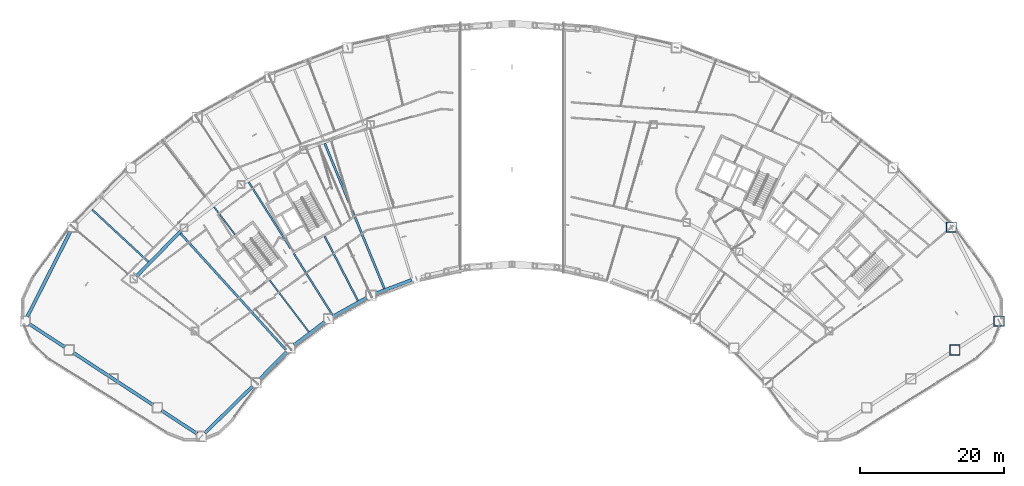
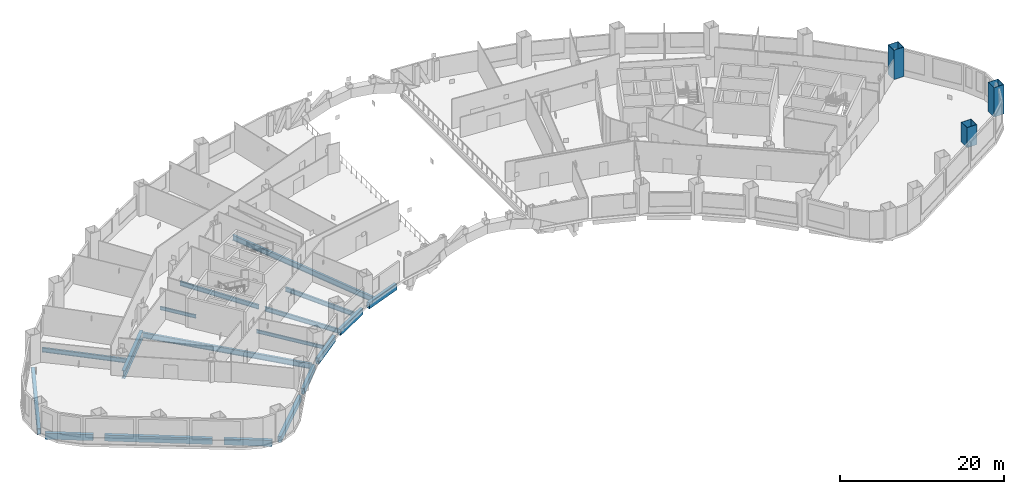
# One storey, part 2 of 24: 18 beams, 3 columns.
"""IFC4 building model written with IfcOpenShell, lengths in metres."""

from ifc_helpers import new_model, si_unit, direction, frame, origin, origin_2d, place, context, subcontext, project, spatial, hollow_rectangle, i_section, extrude, material, material_profile, profile_set, type_object, element, save


model = new_model("IFC4")

# Units and contexts
model_context = context("Model", 3, precision=1e-05, world=origin(), true_north=direction((0.0, 1.0)))
body_context = subcontext(model_context, "Body", "Model", "MODEL_VIEW")
ifc_project = project(units=[si_unit("LENGTHUNIT", "METRE"), si_unit("AREAUNIT", "SQUARE_METRE"), si_unit("VOLUMEUNIT", "CUBIC_METRE"), si_unit("PLANEANGLEUNIT", "RADIAN"), si_unit("MASSUNIT", "GRAM", prefix="KILO")], contexts=[model_context])

# Site, building, storey
site_placement = place(None, origin())
site = spatial("IfcSite", under=ifc_project, at=site_placement, CompositionType="ELEMENT")
building_placement = place(site_placement, origin())
building = spatial("IfcBuilding", under=site, at=building_placement, Name="Tuul Gate Civic Tower", CompositionType="ELEMENT")
storey_placement = place(building_placement, frame((0.0, 0.0, 21.89990234375)))
storey = spatial("IfcBuildingStorey", under=building, at=storey_placement, Name="Level 04", CompositionType="ELEMENT", Elevation=21.89990234375)

# Columns
ifc_material_1 = material(Name="Steel S355", Category="steel")
ifc_material_profile_1 = material_profile(ifc_material_1, hollow_rectangle(XDim=1.39990234375, YDim=1.39990234375, WallThickness=0.0400390625, at=origin_2d()), Name="BOX1400x1400x40")
ifc_profile_set_1 = profile_set([ifc_material_profile_1], Name="Steel S355")
column_type = type_object("IfcColumnType", Name="STR-COLUMN-BOX1400x1400x40", PredefinedType="COLUMN", material=ifc_profile_set_1)
for number, where, z_axis, x_axis, name in (
    (1, (67.56201171875, -21.366943359375, 0.0), (0.0, 0.0, 1.0), (1.0, 0.0, 0.0), "Column"),
    (2, (60.9609375, -8.327880859375, 0.0), (0.0, 0.0, 1.0), (1.0, 0.0, 0.0), "Column"),
):
    element("IfcColumn", number, at=place(storey_placement, frame(where, z_axis=z_axis, x_axis=x_axis)), inside=storey, type_object=column_type, Name=name, PredefinedType="COLUMN", context=body_context, shape_type="SweptSolid", body=[
        extrude(hollow_rectangle(XDim=1.39990234375, YDim=1.39990234375, WallThickness=0.0400390625, at=origin_2d()), origin(), (0.0, 0.0, 1.0), 4.400146484375),
    ])
column_placement = place(storey_placement, frame((61.447021484375, -25.368896484375, 0.0), z_axis=(0.0, 0.0, 1.0), x_axis=(1.0, 0.0, 0.0)))
element("IfcColumn", 3, at=column_placement, inside=storey, type_object=column_type, Name="Column", PredefinedType="COLUMN", context=body_context, shape_type="SweptSolid", body=[
    extrude(hollow_rectangle(XDim=1.39990234375, YDim=1.39990234375, WallThickness=0.0400390625, at=origin_2d()), origin(), (0.0, 0.0, 1.0), 3.0),
])

# Beams
ifc_material_2 = material(Name="Steel S355", Category="steel")
ifc_material_profile_2 = material_profile(ifc_material_2, i_section(OverallWidth=0.199951171875, OverallDepth=0.5, WebThickness=0.010009765625, FlangeThickness=0.01611328125, at=origin_2d()), Name="PG500x200x10x16")
ifc_profile_set_2 = profile_set([ifc_material_profile_2], Name="Steel S355")
beam_type_1 = type_object("IfcBeamType", Name="STR-FLOOR BEAM-PG500x200x10x16", PredefinedType="BEAM", material=ifc_profile_set_2)
beam_1_placement = place(storey_placement, frame((-28.20361328125, -22.83447265625, -0.599853515625), z_axis=(-0.604507057629, 0.796599784884, 0.0), x_axis=(-0.796599784884, -0.604507057629, 0.0)))
element("IfcBeam", 4, at=beam_1_placement, inside=storey, type_object=beam_type_1, Name="Floor beam", PredefinedType="BEAM", context=body_context, shape_type="SweptSolid", body=[
    extrude(i_section(OverallWidth=0.199951171875, OverallDepth=0.5, WebThickness=0.010009765625, FlangeThickness=0.01611328125, at=origin_2d()), origin(), (0.0, 0.0, 1.0), 8.951416015625),
])
beam_2_placement = place(storey_placement, frame((-38.45068359375, -9.3310546875, -0.599853515625), z_axis=(-0.604539816506, 0.796574924448, 0.0), x_axis=(-0.796574924448, -0.604539816506, 0.0)))
element("IfcBeam", 5, at=beam_2_placement, inside=storey, type_object=beam_type_1, Name="Floor beam", PredefinedType="BEAM", context=body_context, shape_type="SweptSolid", body=[
    extrude(i_section(OverallWidth=0.199951171875, OverallDepth=0.5, WebThickness=0.010009765625, FlangeThickness=0.01611328125, at=origin_2d()), origin(), (0.0, 0.0, 1.0), 4.77392578125),
])
ifc_material_3 = material(Name="Steel S355", Category="steel")
ifc_material_profile_3 = material_profile(ifc_material_3, i_section(OverallWidth=0.25, OverallDepth=0.64990234375, WebThickness=0.011962890625, FlangeThickness=0.02001953125, at=origin_2d()), Name="PG650x250x12x20")
ifc_profile_set_3 = profile_set([ifc_material_profile_3], Name="Steel S355")
beam_type_2 = type_object("IfcBeamType", Name="STR-FLOOR BEAM-PG650x250x12x20", PredefinedType="BEAM", material=ifc_profile_set_3)
beam_3_placement = place(storey_placement, frame((-21.390380859375, -18.512939453125, -0.6748046875), z_axis=(-0.458274716769, 0.88881060073, 0.0), x_axis=(-0.88881060073, -0.458274716769, 0.0)))
element("IfcBeam", 6, at=beam_3_placement, inside=storey, type_object=beam_type_2, Name="Floor beam", PredefinedType="BEAM", context=body_context, shape_type="SweptSolid", body=[
    extrude(i_section(OverallWidth=0.25, OverallDepth=0.64990234375, WebThickness=0.011962890625, FlangeThickness=0.02001953125, at=origin_2d()), origin(), (0.0, 0.0, 1.0), 10.03369140625),
])
beam_4_placement = place(storey_placement, frame((-24.9248046875, -20.47265625, -0.6748046875), z_axis=(-0.53338296173, 0.845873877204, 0.0), x_axis=(-0.845873877204, -0.53338296173, 0.0)))
element("IfcBeam", 7, at=beam_4_placement, inside=storey, type_object=beam_type_2, Name="Floor beam", PredefinedType="BEAM", context=body_context, shape_type="SweptSolid", body=[
    extrude(i_section(OverallWidth=0.25, OverallDepth=0.64990234375, WebThickness=0.011962890625, FlangeThickness=0.02001953125, at=origin_2d()), origin(), (0.0, 0.0, 1.0), 10.045654296875),
])
beam_5_placement = place(storey_placement, frame((-30.72509765625, -11.2744140625, -0.6748046875), z_axis=(-0.533383609524, 0.845873468724, 0.0), x_axis=(-0.845873468724, -0.533383609524, 0.0)))
element("IfcBeam", 8, at=beam_5_placement, inside=storey, type_object=beam_type_2, Name="Floor beam", PredefinedType="BEAM", context=body_context, shape_type="SweptSolid", body=[
    extrude(i_section(OverallWidth=0.25, OverallDepth=0.64990234375, WebThickness=0.011962890625, FlangeThickness=0.02001953125, at=origin_2d()), origin(), (0.0, 0.0, 1.0), 10.885498046875),
])
beam_6_placement = place(storey_placement, frame((-50.448974609375, -13.139404296875, -0.6748046875), z_axis=(-0.732685493637, 0.680567386387, 0.0), x_axis=(-0.680567386387, -0.732685493637, 0.0)))
element("IfcBeam", 9, at=beam_6_placement, inside=storey, type_object=beam_type_2, Name="Floor beam", PredefinedType="BEAM", context=body_context, shape_type="SweptSolid", body=[
    extrude(i_section(OverallWidth=0.25, OverallDepth=0.64990234375, WebThickness=0.011962890625, FlangeThickness=0.02001953125, at=origin_2d()), origin(), (0.0, 0.0, 1.0), 10.62890625),
])
ifc_material_4 = material(Name="Steel S355", Category="steel")
ifc_material_profile_4 = material_profile(ifc_material_4, i_section(OverallWidth=0.300048828125, OverallDepth=0.800048828125, WebThickness=0.013916015625, FlangeThickness=0.02490234375, at=origin_2d()), Name="PG800x300x14x25")
ifc_profile_set_4 = profile_set([ifc_material_profile_4], Name="Steel S355")
beam_type_3 = type_object("IfcBeamType", Name="STR-FLOOR BEAM-PG800x300x14x25", PredefinedType="BEAM", material=ifc_profile_set_4)
beam_7_placement = place(storey_placement, frame((-17.722900390625, -16.822021484375, -0.75), z_axis=(-0.379711671586, 0.925104884033, 0.0), x_axis=(-0.925104884033, -0.379711671586, 0.0)))
element("IfcBeam", 10, at=beam_7_placement, inside=storey, type_object=beam_type_3, Name="Floor beam", PredefinedType="BEAM", context=body_context, shape_type="SweptSolid", body=[
    extrude(i_section(OverallWidth=0.300048828125, OverallDepth=0.800048828125, WebThickness=0.013916015625, FlangeThickness=0.02490234375, at=origin_2d()), origin(), (0.0, 0.0, 1.0), 21.7333984375),
])
beam_8_placement = place(storey_placement, frame((-31.366455078125, -25.35009765625, -0.75), z_axis=(-0.671111274621, 0.741356632854, 0.0), x_axis=(-0.741356632854, -0.671111274621, 0.0)))
element("IfcBeam", 11, at=beam_8_placement, inside=storey, type_object=beam_type_3, Name="Floor beam", PredefinedType="BEAM", context=body_context, shape_type="SweptSolid", body=[
    extrude(i_section(OverallWidth=0.300048828125, OverallDepth=0.800048828125, WebThickness=0.013916015625, FlangeThickness=0.02490234375, at=origin_2d()), origin(), (0.0, 0.0, 1.0), 21.763916015625),
])
ifc_material_5 = material(Name="Steel S355", Category="steel")
ifc_material_profile_5 = material_profile(ifc_material_5, i_section(OverallWidth=0.449951171875, OverallDepth=1.199951171875, WebThickness=0.02001953125, FlangeThickness=0.0400390625, at=origin_2d()), Name="PG1200x450x20x40")
ifc_profile_set_5 = profile_set([ifc_material_profile_5], Name="Steel S355")
beam_type_4 = type_object("IfcBeamType", Name="STR-RING BEAM-PG1200x450x20x40", PredefinedType="BEAM", material=ifc_profile_set_5)
beam_9_placement = place(storey_placement, frame((-52.121337890625, -15.1669921875, -0.949951171875), z_axis=(0.700011333418, 0.714131733706, 0.0), x_axis=(-0.714131733706, 0.700011333418, 0.0)))
element("IfcBeam", 12, at=beam_9_placement, inside=storey, type_object=beam_type_4, Name="Ring girder", PredefinedType="BEAM", context=body_context, shape_type="SweptSolid", body=[
    extrude(i_section(OverallWidth=0.449951171875, OverallDepth=1.199951171875, WebThickness=0.02001953125, FlangeThickness=0.0400390625, at=origin_2d()), origin(), (0.0, 0.0, 1.0), 8.93896484375),
])
ifc_material_6 = material(Name="Steel S355", Category="steel")
ifc_material_profile_6 = material_profile(ifc_material_6, hollow_rectangle(XDim=0.449951171875, YDim=0.89990234375, WallThickness=0.02490234375, at=origin_2d()), Name="BOX900x450x25")
ifc_profile_set_6 = profile_set([ifc_material_profile_6], Name="Steel S355")
beam_type_5 = type_object("IfcBeamType", Name="STR-SPANDREL BEAM-BOX900x450x25", PredefinedType="BEAM", material=ifc_profile_set_6)
beam_10_placement = place(storey_placement, frame((-61.277099609375, -8.95263671875, -0.7998046875), z_axis=(-0.451678979782, -0.892180530623, 0.0), x_axis=(0.892180530623, -0.451678979782, 0.0)))
element("IfcBeam", 13, at=beam_10_placement, inside=storey, type_object=beam_type_5, Name="Spandrel beam", PredefinedType="BEAM", context=body_context, shape_type="SweptSolid", body=[
    extrude(hollow_rectangle(XDim=0.449951171875, YDim=0.89990234375, WallThickness=0.02490234375, at=origin_2d()), origin(), (0.0, 0.0, 1.0), 13.214599609375),
])
beam_11_placement = place(storey_placement, frame((-66.976318359375, -21.750244140625, -0.7998046875), z_axis=(0.836737319566, -0.547604472265, 0.0), x_axis=(0.547604472265, 0.836737319566, 0.0)))
element("IfcBeam", 14, at=beam_11_placement, inside=storey, type_object=beam_type_5, Name="Spandrel beam", PredefinedType="BEAM", context=body_context, shape_type="SweptSolid", body=[
    extrude(hollow_rectangle(XDim=0.449951171875, YDim=0.89990234375, WallThickness=0.02490234375, at=origin_2d()), origin(), (0.0, 0.0, 1.0), 5.908203125),
])
beam_12_placement = place(storey_placement, frame((-60.861328125, -25.752197265625, -0.7998046875), z_axis=(0.836741071493, -0.547598739294, 0.0), x_axis=(0.547598739294, 0.836741071493, 0.0)))
element("IfcBeam", 15, at=beam_12_placement, inside=storey, type_object=beam_type_5, Name="Spandrel beam", PredefinedType="BEAM", context=body_context, shape_type="SweptSolid", body=[
    extrude(hollow_rectangle(XDim=0.449951171875, YDim=0.89990234375, WallThickness=0.02490234375, at=origin_2d()), origin(), (0.0, 0.0, 1.0), 13.215087890625),
])
beam_13_placement = place(storey_placement, frame((-48.63232421875, -33.75537109375, -0.7998046875), z_axis=(0.836737319566, -0.547604472265, 0.0), x_axis=(0.547604472265, 0.836737319566, 0.0)))
element("IfcBeam", 16, at=beam_13_placement, inside=storey, type_object=beam_type_5, Name="Spandrel beam", PredefinedType="BEAM", context=body_context, shape_type="SweptSolid", body=[
    extrude(hollow_rectangle(XDim=0.449951171875, YDim=0.89990234375, WallThickness=0.02490234375, at=origin_2d()), origin(), (0.0, 0.0, 1.0), 5.908203125),
])
beam_14_placement = place(storey_placement, frame((-42.60302734375, -36.884033203125, -0.7998046875), z_axis=(0.714257932821, 0.699882565437, 0.0), x_axis=(-0.699882565437, 0.714257932821, 0.0)))
element("IfcBeam", 17, at=beam_14_placement, inside=storey, type_object=beam_type_5, Name="Spandrel beam", PredefinedType="BEAM", context=body_context, shape_type="SweptSolid", body=[
    extrude(hollow_rectangle(XDim=0.449951171875, YDim=0.89990234375, WallThickness=0.02490234375, at=origin_2d()), origin(), (0.0, 0.0, 1.0), 9.255859375),
])
beam_15_placement = place(storey_placement, frame((-35.001953125, -29.416015625, -0.7998046875), z_axis=(0.700007662648, 0.714135331876, 0.0), x_axis=(-0.714135331876, 0.700007662648, 0.0)))
element("IfcBeam", 18, at=beam_15_placement, inside=storey, type_object=beam_type_5, Name="Spandrel beam", PredefinedType="BEAM", context=body_context, shape_type="SweptSolid", body=[
    extrude(hollow_rectangle(XDim=0.449951171875, YDim=0.89990234375, WallThickness=0.02490234375, at=origin_2d()), origin(), (0.0, 0.0, 1.0), 5.322509765625),
])
beam_16_placement = place(storey_placement, frame((-30.22900390625, -24.69091796875, -0.7998046875), z_axis=(0.795624397763, 0.605790242315, 0.0), x_axis=(-0.605790242315, 0.795624397763, 0.0)))
element("IfcBeam", 19, at=beam_16_placement, inside=storey, type_object=beam_type_5, Name="Spandrel beam", PredefinedType="BEAM", context=body_context, shape_type="SweptSolid", body=[
    extrude(hollow_rectangle(XDim=0.449951171875, YDim=0.89990234375, WallThickness=0.02490234375, at=origin_2d()), origin(), (0.0, 0.0, 1.0), 5.32177734375),
])
beam_17_placement = place(storey_placement, frame((-24.82568359375, -20.70361328125, -0.7998046875), z_axis=(0.87456368019, 0.484910681769, 0.0), x_axis=(-0.484910681769, 0.87456368019, 0.0)))
element("IfcBeam", 20, at=beam_17_placement, inside=storey, type_object=beam_type_5, Name="Spandrel beam", PredefinedType="BEAM", context=body_context, shape_type="SweptSolid", body=[
    extrude(hollow_rectangle(XDim=0.449951171875, YDim=0.89990234375, WallThickness=0.02490234375, at=origin_2d()), origin(), (0.0, 0.0, 1.0), 5.3232421875),
])
beam_18_placement = place(storey_placement, frame((-18.9033203125, -17.535400390625, -0.7998046875), z_axis=(0.935406025935, 0.353575404468, 0.0), x_axis=(-0.353575404468, 0.935406025935, 0.0)))
element("IfcBeam", 21, at=beam_18_placement, inside=storey, type_object=beam_type_5, Name="Spandrel beam", PredefinedType="BEAM", context=body_context, shape_type="SweptSolid", body=[
    extrude(hollow_rectangle(XDim=0.449951171875, YDim=0.89990234375, WallThickness=0.02490234375, at=origin_2d()), origin(), (0.0, 0.0, 1.0), 5.322265625),
])

save(model, "model.ifc")
